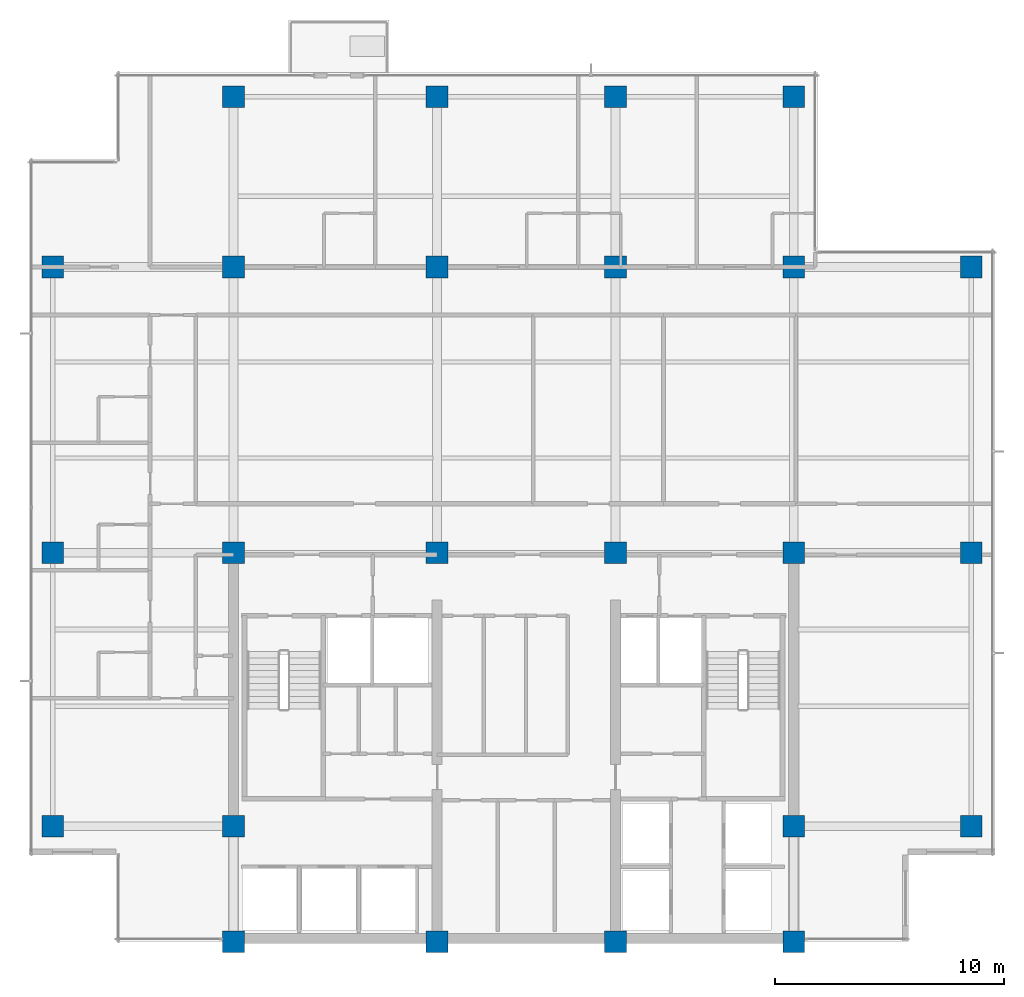
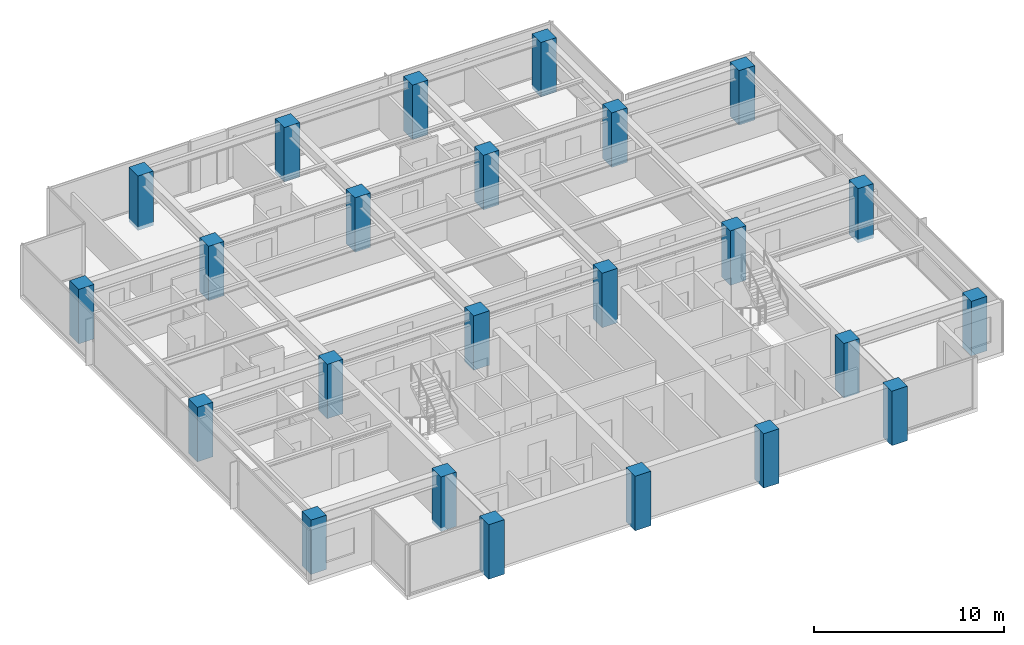
# One storey, part 1 of 14: 24 columns.
"""IFC4 building model written with IfcOpenShell, lengths in metres."""

from ifc_helpers import new_model, si_unit, direction, frame, origin, origin_2d, place, context, subcontext, project, spatial, rectangle, extrude, material, material_profile, profile_set, type_object, element, save


model = new_model("IFC4")

# Units and contexts
model_context = context("Model", 3, precision=1e-05, world=origin(), true_north=direction((0.0, 1.0)))
body_context = subcontext(model_context, "Body", "Model", "MODEL_VIEW")
ifc_project = project(units=[si_unit("LENGTHUNIT", "METRE"), si_unit("AREAUNIT", "SQUARE_METRE"), si_unit("VOLUMEUNIT", "CUBIC_METRE"), si_unit("PLANEANGLEUNIT", "RADIAN"), si_unit("MASSUNIT", "GRAM", prefix="KILO")], contexts=[model_context])

# Site, building, storey
site_placement = place(None, origin())
site = spatial("IfcSite", under=ifc_project, at=site_placement, CompositionType="ELEMENT")
building_placement = place(site_placement, origin())
building = spatial("IfcBuilding", under=site, at=building_placement, Name="Qalmaran Belvedere Hotel", CompositionType="ELEMENT")
storey_placement = place(building_placement, frame((0.0, 0.0, 200.39990234375)))
storey = spatial("IfcBuildingStorey", under=building, at=storey_placement, Name="L50", CompositionType="ELEMENT", Elevation=200.39990234375)

# Columns
ifc_material = material(Name="Concrete C50/60", Category="concrete")
ifc_material_profile = material_profile(ifc_material, rectangle(XDim=0.949951171875, YDim=0.949951171875, at=origin_2d()), Name="CC950X950")
ifc_profile_set = profile_set([ifc_material_profile], Name="Concrete C50/60")
column_type = type_object("IfcColumnType", Name="COL-Z4-CC950", PredefinedType="COLUMN", material=ifc_profile_set)
for number, where, z_axis, x_axis, name in (
    (1, (20.300048828125, 3.5, -0.239990234375), (0.0, 0.0, 1.0), (1.0, 0.0, 0.0), "L50 Column C4B"),
    (2, (29.199951171875, 3.5, -0.239990234375), (0.0, 0.0, 1.0), (1.0, 0.0, 0.0), "L50 Column C5B"),
    (3, (37.0, 3.5, -0.239990234375), (0.0, 0.0, 1.0), (1.0, 0.0, 0.0), "L50 Column C6B"),
    (4, (44.800048828125, 3.5, -0.239990234375), (0.0, 0.0, 1.0), (1.0, 0.0, 0.0), "L50 Column C7B"),
    (5, (20.300048828125, 8.550048828125, -0.239990234375), (0.0, 0.0, 1.0), (1.0, 0.0, 0.0), "L50 Column C4C"),
    (6, (44.800048828125, 8.550048828125, -0.239990234375), (0.0, 0.0, 1.0), (1.0, 0.0, 0.0), "L50 Column C7C"),
    (7, (20.300048828125, 20.5, -0.239990234375), (0.0, 0.0, 1.0), (1.0, 0.0, 0.0), "L50 Column C4D"),
    (8, (29.199951171875, 20.5, -0.239990234375), (0.0, 0.0, 1.0), (1.0, 0.0, 0.0), "L50 Column C5D"),
    (9, (37.0, 20.5, -0.239990234375), (0.0, 0.0, 1.0), (1.0, 0.0, 0.0), "L50 Column C6D"),
    (10, (44.800048828125, 20.5, -0.239990234375), (0.0, 0.0, 1.0), (1.0, 0.0, 0.0), "L50 Column C7D"),
    (11, (20.300048828125, 33.0, -0.239990234375), (0.0, 0.0, 1.0), (1.0, 0.0, 0.0), "L50 Column C4F"),
    (12, (29.199951171875, 33.0, -0.239990234375), (0.0, 0.0, 1.0), (1.0, 0.0, 0.0), "L50 Column C5F"),
    (13, (37.0, 33.0, -0.239990234375), (0.0, 0.0, 1.0), (1.0, 0.0, 0.0), "L50 Column C6F"),
    (14, (44.800048828125, 33.0, -0.239990234375), (0.0, 0.0, 1.0), (1.0, 0.0, 0.0), "L50 Column C7F"),
    (15, (12.39990234375, 8.550048828125, -0.239990234375), (0.0, 0.0, 1.0), (1.0, 0.0, 0.0), "L50 Column CW1"),
    (16, (12.39990234375, 20.5, -0.239990234375), (0.0, 0.0, 1.0), (1.0, 0.0, 0.0), "L50 Column CW3"),
    (17, (12.39990234375, 33.0, -0.239990234375), (0.0, 0.0, 1.0), (1.0, 0.0, 0.0), "L50 Column CW4"),
    (18, (52.550048828125, 8.550048828125, -0.239990234375), (0.0, 0.0, 1.0), (1.0, 0.0, 0.0), "L50 Column CE1"),
    (19, (52.550048828125, 20.5, -0.239990234375), (0.0, 0.0, 1.0), (1.0, 0.0, 0.0), "L50 Column CE3"),
    (20, (52.550048828125, 33.0, -0.239990234375), (0.0, 0.0, 1.0), (1.0, 0.0, 0.0), "L50 Column CE4"),
    (21, (20.300048828125, 40.449951171875, -0.239990234375), (0.0, 0.0, 1.0), (1.0, 0.0, 0.0), "L50 Column CN1"),
    (22, (29.199951171875, 40.449951171875, -0.239990234375), (0.0, 0.0, 1.0), (1.0, 0.0, 0.0), "L50 Column CN2"),
    (23, (37.0, 40.449951171875, -0.239990234375), (0.0, 0.0, 1.0), (1.0, 0.0, 0.0), "L50 Column CN3"),
    (24, (44.800048828125, 40.449951171875, -0.239990234375), (0.0, 0.0, 1.0), (1.0, 0.0, 0.0), "L50 Column CN4"),
):
    element("IfcColumn", number, at=place(storey_placement, frame(where, z_axis=z_axis, x_axis=x_axis)), inside=storey, type_object=column_type, Name=name, PredefinedType="COLUMN", context=body_context, shape_type="SweptSolid", body=[
        extrude(rectangle(XDim=0.949951171875, YDim=0.949951171875, at=origin_2d()), origin(), (0.0, 0.0, 1.0), 3.5),
    ])

save(model, "model.ifc")
